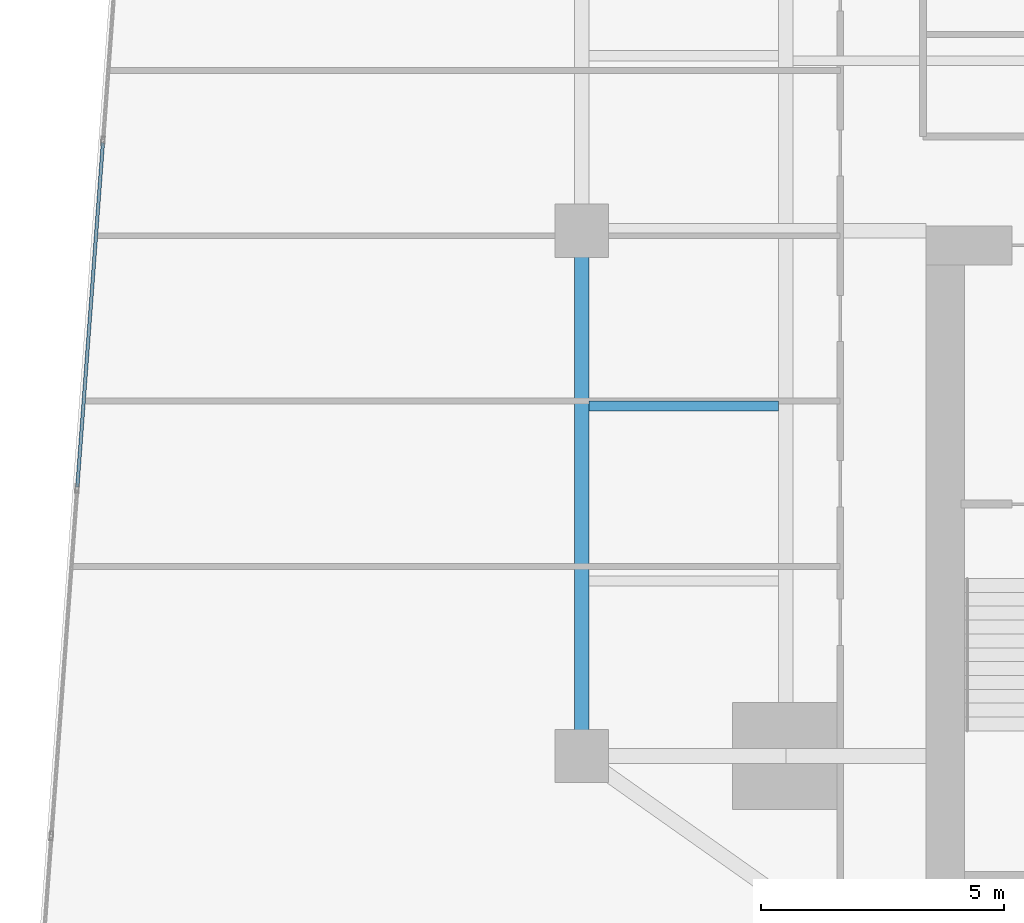
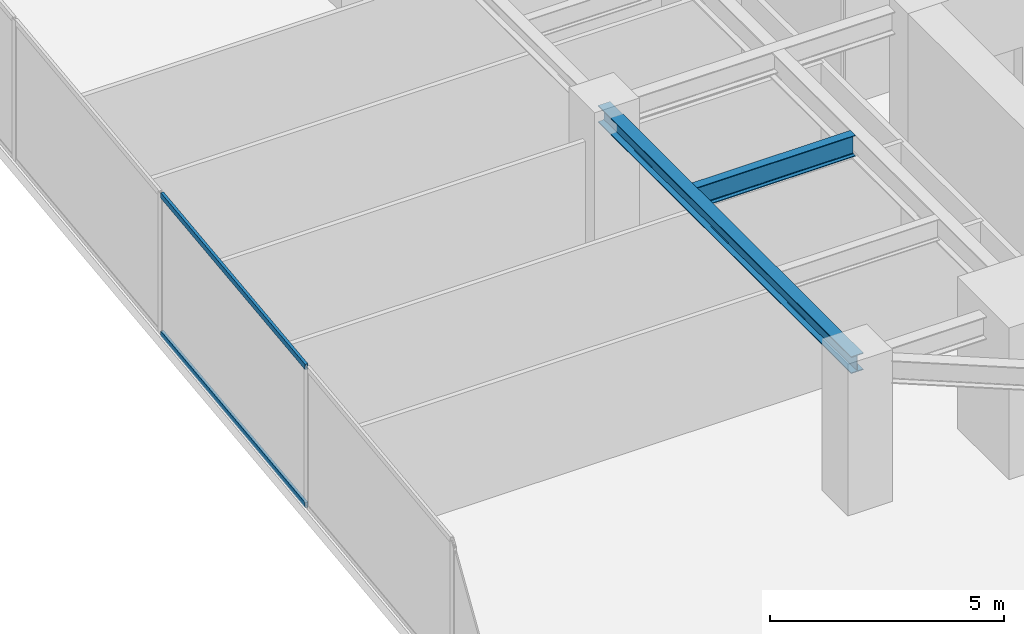
# One storey, part 9 of 30: 2 beams, 2 members, 1 element without a shape of its own.
"""IFC4 building model written with IfcOpenShell, lengths in metres."""

from ifc_helpers import new_model, si_unit, direction, frame, origin, origin_2d, place, context, subcontext, project, spatial, hollow_rectangle, i_section, extrude, source, transform, mapped, material, material_profile, profile_set, type_object, type_shapes, element, aggregate, save


model = new_model("IFC4")

# Units and contexts
model_context = context("Model", 3, precision=1e-05, world=origin(), true_north=direction((0.0, 1.0)))
body_context = subcontext(model_context, "Body", "Model", "MODEL_VIEW")
ifc_project = project(units=[si_unit("LENGTHUNIT", "METRE"), si_unit("AREAUNIT", "SQUARE_METRE"), si_unit("VOLUMEUNIT", "CUBIC_METRE"), si_unit("PLANEANGLEUNIT", "RADIAN"), si_unit("MASSUNIT", "GRAM", prefix="KILO")], contexts=[model_context])

# Site, building, storey
site_placement = place(None, origin())
site = spatial("IfcSite", under=ifc_project, at=site_placement, CompositionType="ELEMENT")
building_placement = place(site_placement, origin())
building = spatial("IfcBuilding", under=site, at=building_placement, Name="Krantzveldt Concourse Tower", CompositionType="ELEMENT")
storey_placement = place(building_placement, frame((0.0, 0.0, 52.64990234375)))
storey = spatial("IfcBuildingStorey", under=building, at=storey_placement, Name="L12", CompositionType="ELEMENT", Elevation=52.64990234375)

# Beams
ifc_material_1 = material(Name="Steel S355JR", Category="steel")
ifc_material_profile_1 = material_profile(ifc_material_1, i_section(OverallWidth=0.300048828125, OverallDepth=0.43994140625, WebThickness=0.011474609375, FlangeThickness=0.02099609375, FilletRadius=0.027099609375, at=origin_2d()), Name="Steel S355JR", Category="steel")
ifc_profile_set_1 = profile_set([ifc_material_profile_1], Name="Steel S355JR - HEA 450")
beam_type_1 = type_object("IfcBeamType", Name="BM-SP-HEA450", PredefinedType="SPANDREL", material=ifc_profile_set_1)
shared_shape_1 = source(origin(), body_context, "Body", "SweptSolid", [
    extrude(i_section(OverallWidth=0.300048828125, OverallDepth=0.43994140625, WebThickness=0.011474609375, FlangeThickness=0.02099609375, FilletRadius=0.027099609375, at=origin_2d()), origin(), (0.0, 0.0, 1.0), 10.800048828125),
])
type_shapes(beam_type_1, [shared_shape_1])
beam_1_placement = place(storey_placement, frame((21.0, 15.89990234375, 3.4501953125), z_axis=(0.0, 1.0, 0.0), x_axis=(-1.0, 0.0, 0.0)))
element("IfcBeam", 1, at=beam_1_placement, inside=storey, type_object=beam_type_1, Name="L12 Tower Girder SP-R01", PredefinedType="SPANDREL", context=body_context, shape_type="MappedRepresentation", body=[
    mapped(shared_shape_1, transform((0.0, 0.0, 0.0), x_axis=(1.0, 0.0, 0.0), y_axis=(0.0, 1.0, 0.0), z_axis=(0.0, 0.0, 1.0), scale=1.0)),
])
ifc_material_profile_2 = material_profile(ifc_material_1, i_section(OverallWidth=0.2099609375, OverallDepth=0.550048828125, WebThickness=0.010986328125, FlangeThickness=0.01708984375, FilletRadius=0.02392578125, at=origin_2d()), Name="Steel S355JR", Category="steel")
ifc_profile_set_2 = profile_set([ifc_material_profile_2], Name="Steel S355JR - IPE 550")
beam_type_2 = type_object("IfcBeamType", Name="BM-J-IPE550", PredefinedType="JOIST", material=ifc_profile_set_2)
shared_shape_2 = source(origin(), body_context, "Body", "SweptSolid", [
    extrude(i_section(OverallWidth=0.2099609375, OverallDepth=0.550048828125, WebThickness=0.010986328125, FlangeThickness=0.01708984375, FilletRadius=0.02392578125, at=origin_2d()), origin(), (0.0, 0.0, 1.0), 3.900146484375),
])
type_shapes(beam_type_2, [shared_shape_2])
beam_2_placement = place(storey_placement, frame((21.14990234375, 23.10009765625, 3.39501953125), z_axis=(1.0, 0.0, 0.0), x_axis=(0.0, 1.0, 0.0)))
element("IfcBeam", 2, at=beam_2_placement, inside=storey, type_object=beam_type_2, Name="L12 Secondary Floor Joist JW-2", PredefinedType="JOIST", context=body_context, shape_type="MappedRepresentation", body=[
    mapped(shared_shape_2, transform((0.0, 0.0, 0.0), x_axis=(1.0, 0.0, 0.0), y_axis=(0.0, 1.0, 0.0), z_axis=(0.0, 0.0, 1.0), scale=1.0)),
])

# Curtain wall, members
ifc_material_2 = material(Name="Anodised aluminium 6063-T6", Category="aluminium")
curtain_wall_type = type_object("IfcCurtainWallType", Name="CW2", PredefinedType="USERDEFINED", material=ifc_material_2)
curtain_wall_placement = place(storey_placement, origin())
curtain_wall = element("IfcCurtainWall", 3, at=curtain_wall_placement, inside=storey, type_object=curtain_wall_type, Name="CW-L12-F01", ObjectType="UNITISED CURTAIN WALL", PredefinedType="USERDEFINED")
ifc_material_profile_3 = material_profile(ifc_material_2, hollow_rectangle(XDim=0.070068359375, YDim=0.139892578125, WallThickness=0.0048828125, at=origin_2d()), Name="Anodised aluminium 6063-T6", Category="aluminium")
ifc_profile_set_3 = profile_set([ifc_material_profile_3], Name="Anodised aluminium 6063-T6 - ALU-TRAN 140x70x5")
member_type = type_object("IfcMemberType", Name="CW-TRN-150", PredefinedType="USERDEFINED", material=ifc_profile_set_3)
shared_shape_3 = source(origin(), body_context, "Body", "SweptSolid", [
    extrude(hollow_rectangle(XDim=0.070068359375, YDim=0.139892578125, WallThickness=0.0048828125, at=origin_2d()), origin(), (0.0, 0.0, 1.0), 7.0966796875),
])
type_shapes(member_type, [shared_shape_3])
member_1_placement = place(storey_placement, frame((11.156005859375, 28.51123046875, 0.03515625), z_axis=(-0.074136527461, -0.997248101174, 0.0), x_axis=(0.997248101174, -0.074136527461, 0.0)))
member_1 = element("IfcMember", 4, at=member_1_placement, type_object=member_type, Name="CW-Z12 transom 4.1", ObjectType="TRANSOM", PredefinedType="USERDEFINED", context=body_context, shape_type="MappedRepresentation", body=[
    mapped(shared_shape_3, transform((0.0, 0.0, 0.0), x_axis=(1.0, 0.0, 0.0), y_axis=(0.0, 1.0, 0.0), z_axis=(0.0, 0.0, 1.0), scale=1.0)),
])
member_2_placement = place(storey_placement, frame((11.156005859375, 28.51123046875, 3.635009765625), z_axis=(-0.074136527461, -0.997248101174, 0.0), x_axis=(0.997248101174, -0.074136527461, 0.0)))
member_2 = element("IfcMember", 5, at=member_2_placement, type_object=member_type, Name="CW-Z12 transom 4.2", ObjectType="TRANSOM", PredefinedType="USERDEFINED", context=body_context, shape_type="MappedRepresentation", body=[
    mapped(shared_shape_3, transform((0.0, 0.0, 0.0), x_axis=(1.0, 0.0, 0.0), y_axis=(0.0, 1.0, 0.0), z_axis=(0.0, 0.0, 1.0), scale=1.0)),
])
aggregate(curtain_wall, [member_1, member_2])

save(model, "model.ifc")
